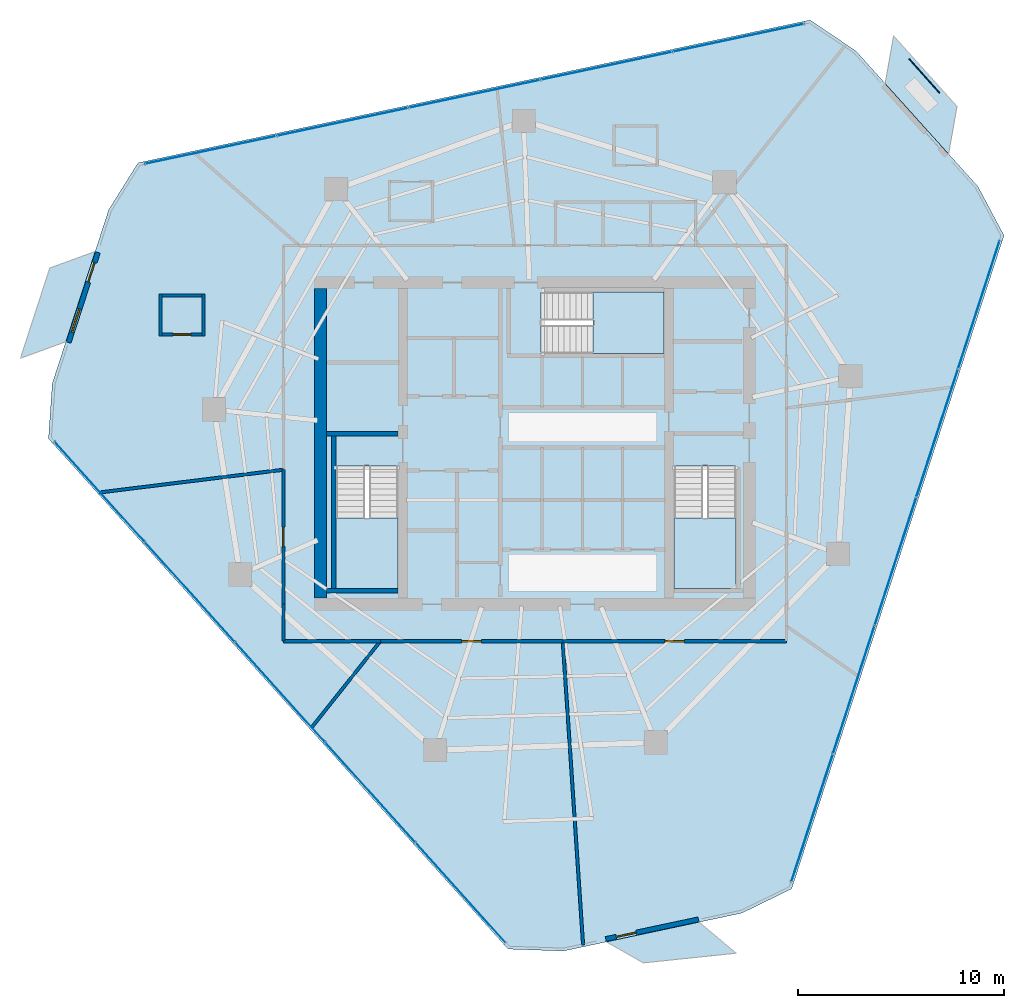
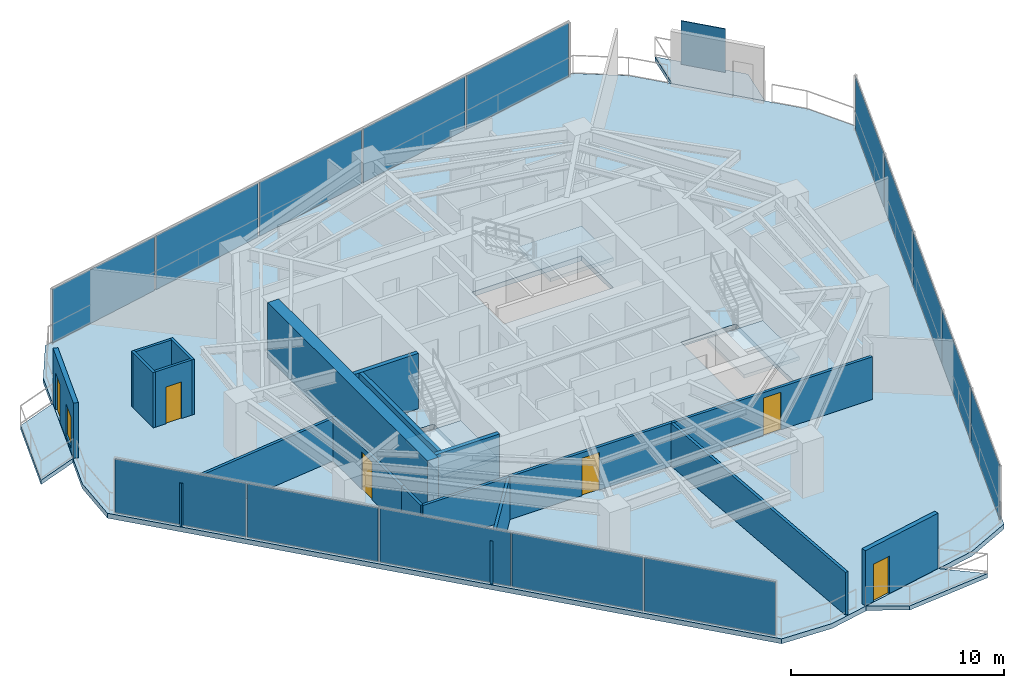
# One storey, part 22 of 27: 18 walls, 16 plates, 7 slabs, 6 doors, 1 window, 7 openings, 6 elements without a shape of their own.
"""IFC4 building model written with IfcOpenShell, lengths in metres."""

from ifc_helpers import new_model, si_unit, direction, frame, frame_2d, origin, origin_2d, place, context, subcontext, project, spatial, polyline, rectangle, outline, extrude, material, layer, layer_set, type_object, element, fill, aggregate, save


model = new_model("IFC4")

# Units and contexts
model_context = context("Model", 3, precision=1e-05, world=origin(), true_north=direction((0.0, 1.0)))
body_context = subcontext(model_context, "Body", "Model", "MODEL_VIEW")
ifc_project = project(units=[si_unit("LENGTHUNIT", "METRE"), si_unit("AREAUNIT", "SQUARE_METRE"), si_unit("VOLUMEUNIT", "CUBIC_METRE"), si_unit("PLANEANGLEUNIT", "RADIAN"), si_unit("MASSUNIT", "GRAM", prefix="KILO")], contexts=[model_context])

# Site, building, storey
site_placement = place(None, origin())
site = spatial("IfcSite", under=ifc_project, at=site_placement, CompositionType="ELEMENT")
building_placement = place(site_placement, origin())
building = spatial("IfcBuilding", under=site, at=building_placement, Name="Qarnah Convention Tower", CompositionType="ELEMENT")
storey_placement = place(building_placement, frame((0.0, 0.0, 110.85009765625)))
storey = spatial("IfcBuildingStorey", under=building, at=storey_placement, Name="L29", CompositionType="ELEMENT", Elevation=110.85009765625)

# Curtain wall, plates
ifc_material_1 = material(Name="Tempered Low-E dark glass", Category="glass")
ifc_layer_1 = layer(ifc_material_1, 0.169921875)
ifc_layer_set_1 = layer_set([ifc_layer_1], Name="Tempered Low-E dark glass")
curtain_wall_type = type_object("IfcCurtainWallType", Name="CWS-02", PredefinedType="NOTDEFINED", material=ifc_layer_set_1)
curtain_wall_1_placement = place(storey_placement, origin())
curtain_wall_1 = element("IfcCurtainWall", 1, at=curtain_wall_1_placement, inside=storey, type_object=curtain_wall_type, Name="L29 unitised curtain wall CW-L29-F1", PredefinedType="NOTDEFINED")
ifc_layer_2 = layer(ifc_material_1, 0.030029296875)
ifc_layer_set_2 = layer_set([ifc_layer_2], Name="Tempered Low-E dark glass")
plate_type_1 = type_object("IfcPlateType", Name="PNL-T2", PredefinedType="CURTAIN_PANEL", material=ifc_layer_set_2)
plate_1_placement = place(storey_placement, frame((21.46923828125, 40.629150390625, 0.0400390625), z_axis=(0.0, 0.0, 1.0), x_axis=(0.978150383892, 0.207898596655, 0.0)))
plate_1 = element("IfcPlate", 2, at=plate_1_placement, type_object=plate_type_1, Name="CW-L29-F1 curtain panel 1.1", PredefinedType="CURTAIN_PANEL", context=body_context, shape_type="SweptSolid", body=[
    extrude(rectangle(XDim=6.463623046875, YDim=0.030029296875, at=origin_2d()), origin(), (0.0, 0.0, 1.0), 3.090087890625),
])
plate_2_placement = place(storey_placement, frame((27.869873046875, 41.989501953125, 0.0400390625), z_axis=(0.0, 0.0, 1.0), x_axis=(0.978150383892, 0.207898596655, 0.0)))
plate_2 = element("IfcPlate", 3, at=plate_2_placement, type_object=plate_type_1, Name="CW-L29-F1 curtain panel 2.1", PredefinedType="CURTAIN_PANEL", context=body_context, shape_type="SweptSolid", body=[
    extrude(rectangle(XDim=6.463623046875, YDim=0.030029296875, at=origin_2d()), origin(), (0.0, 0.0, 1.0), 3.090087890625),
])
plate_3_placement = place(storey_placement, frame((34.2705078125, 43.35009765625, 0.0400390625), z_axis=(0.0, 0.0, 1.0), x_axis=(0.978150383892, 0.207898596655, 0.0)))
plate_3 = element("IfcPlate", 4, at=plate_3_placement, type_object=plate_type_1, Name="CW-L29-F1 curtain panel 3.1", PredefinedType="CURTAIN_PANEL", context=body_context, shape_type="SweptSolid", body=[
    extrude(rectangle(XDim=6.463623046875, YDim=0.030029296875, at=origin_2d()), origin(), (0.0, 0.0, 1.0), 3.090087890625),
])
plate_4_placement = place(storey_placement, frame((40.671142578125, 44.71044921875, 0.0400390625), z_axis=(0.0, 0.0, 1.0), x_axis=(0.978150383892, 0.207898596655, 0.0)))
plate_4 = element("IfcPlate", 5, at=plate_4_placement, type_object=plate_type_1, Name="CW-L29-F1 curtain panel 4.1", PredefinedType="CURTAIN_PANEL", context=body_context, shape_type="SweptSolid", body=[
    extrude(rectangle(XDim=6.463623046875, YDim=0.030029296875, at=origin_2d()), origin(), (0.0, 0.0, 1.0), 3.090087890625),
])
plate_5_placement = place(storey_placement, frame((47.07177734375, 46.07080078125, 0.0400390625), z_axis=(0.0, 0.0, 1.0), x_axis=(0.978150383892, 0.207898596655, 0.0)))
plate_5 = element("IfcPlate", 6, at=plate_5_placement, type_object=plate_type_1, Name="CW-L29-F1 curtain panel 5.1", PredefinedType="CURTAIN_PANEL", context=body_context, shape_type="SweptSolid", body=[
    extrude(rectangle(XDim=6.463623046875, YDim=0.030029296875, at=origin_2d()), origin(), (0.0, 0.0, 1.0), 3.090087890625),
])
aggregate(curtain_wall_1, [plate_1, plate_2, plate_3, plate_4, plate_5])

curtain_wall_2_placement = place(storey_placement, origin())
curtain_wall_2 = element("IfcCurtainWall", 7, at=curtain_wall_2_placement, inside=storey, type_object=curtain_wall_type, Name="L29 unitised curtain wall CW-L29-F2", PredefinedType="NOTDEFINED")
plate_6_placement = place(storey_placement, frame((58.73193359375, 33.120361328125, 0.0400390625), z_axis=(0.0, 0.0, 1.0), x_axis=(-0.309011433682, -0.951058323056, 0.0)))
plate_6 = element("IfcPlate", 8, at=plate_6_placement, type_object=plate_type_1, Name="CW-L29-F2 curtain panel 1.1", PredefinedType="CURTAIN_PANEL", context=body_context, shape_type="SweptSolid", body=[
    extrude(rectangle(XDim=6.46337890625, YDim=0.030029296875, at=origin_2d()), origin(), (0.0, 0.0, 1.0), 3.090087890625),
])
plate_7_placement = place(storey_placement, frame((56.7099609375, 26.897216796875, 0.0400390625), z_axis=(0.0, 0.0, 1.0), x_axis=(-0.309011433682, -0.951058323056, 0.0)))
plate_7 = element("IfcPlate", 9, at=plate_7_placement, type_object=plate_type_1, Name="CW-L29-F2 curtain panel 2.1", PredefinedType="CURTAIN_PANEL", context=body_context, shape_type="SweptSolid", body=[
    extrude(rectangle(XDim=6.46337890625, YDim=0.030029296875, at=origin_2d()), origin(), (0.0, 0.0, 1.0), 3.090087890625),
])
plate_8_placement = place(storey_placement, frame((54.68798828125, 20.674072265625, 0.0400390625), z_axis=(0.0, 0.0, 1.0), x_axis=(-0.309011433682, -0.951058323056, 0.0)))
plate_8 = element("IfcPlate", 10, at=plate_8_placement, type_object=plate_type_1, Name="CW-L29-F2 curtain panel 3.1", PredefinedType="CURTAIN_PANEL", context=body_context, shape_type="SweptSolid", body=[
    extrude(rectangle(XDim=6.46337890625, YDim=0.030029296875, at=origin_2d()), origin(), (0.0, 0.0, 1.0), 3.090087890625),
])
plate_9_placement = place(storey_placement, frame((52.666015625, 14.45068359375, 0.0400390625), z_axis=(0.0, 0.0, 1.0), x_axis=(-0.309011433682, -0.951058323056, 0.0)))
plate_9 = element("IfcPlate", 11, at=plate_9_placement, type_object=plate_type_1, Name="CW-L29-F2 curtain panel 4.1", PredefinedType="CURTAIN_PANEL", context=body_context, shape_type="SweptSolid", body=[
    extrude(rectangle(XDim=6.46337890625, YDim=0.030029296875, at=origin_2d()), origin(), (0.0, 0.0, 1.0), 3.090087890625),
])
plate_10_placement = place(storey_placement, frame((50.64404296875, 8.2275390625, 0.0400390625), z_axis=(0.0, 0.0, 1.0), x_axis=(-0.309011433682, -0.951058323056, 0.0)))
plate_10 = element("IfcPlate", 12, at=plate_10_placement, type_object=plate_type_1, Name="CW-L29-F2 curtain panel 5.1", PredefinedType="CURTAIN_PANEL", context=body_context, shape_type="SweptSolid", body=[
    extrude(rectangle(XDim=6.46337890625, YDim=0.030029296875, at=origin_2d()), origin(), (0.0, 0.0, 1.0), 3.090087890625),
])
aggregate(curtain_wall_2, [plate_6, plate_7, plate_8, plate_9, plate_10])

curtain_wall_3_placement = place(storey_placement, origin())
curtain_wall_3 = element("IfcCurtainWall", 13, at=curtain_wall_3_placement, inside=storey, type_object=curtain_wall_type, Name="L29 unitised curtain wall CW-L29-F3", PredefinedType="NOTDEFINED")
plate_11_placement = place(storey_placement, frame((33.596923828125, 4.604248046875, 0.0400390625), z_axis=(0.0, 0.0, 1.0), x_axis=(-0.669121773521, 0.743152778505, 0.0)))
plate_11 = element("IfcPlate", 14, at=plate_11_placement, type_object=plate_type_1, Name="CW-L29-F3 curtain panel 1.1", PredefinedType="CURTAIN_PANEL", context=body_context, shape_type="SweptSolid", body=[
    extrude(rectangle(XDim=6.463134765625, YDim=0.030029296875, at=origin_2d()), origin(), (0.0, 0.0, 1.0), 3.090087890625),
])
plate_12_placement = place(storey_placement, frame((29.21875, 9.466796875, 0.0400390625), z_axis=(0.0, 0.0, 1.0), x_axis=(-0.669121773521, 0.743152778505, 0.0)))
plate_12 = element("IfcPlate", 15, at=plate_12_placement, type_object=plate_type_1, Name="CW-L29-F3 curtain panel 2.1", PredefinedType="CURTAIN_PANEL", context=body_context, shape_type="SweptSolid", body=[
    extrude(rectangle(XDim=6.463134765625, YDim=0.030029296875, at=origin_2d()), origin(), (0.0, 0.0, 1.0), 3.090087890625),
])
plate_13_placement = place(storey_placement, frame((24.840576171875, 14.32958984375, 0.0400390625), z_axis=(0.0, 0.0, 1.0), x_axis=(-0.669121773521, 0.743152778505, 0.0)))
plate_13 = element("IfcPlate", 16, at=plate_13_placement, type_object=plate_type_1, Name="CW-L29-F3 curtain panel 3.1", PredefinedType="CURTAIN_PANEL", context=body_context, shape_type="SweptSolid", body=[
    extrude(rectangle(XDim=6.463134765625, YDim=0.030029296875, at=origin_2d()), origin(), (0.0, 0.0, 1.0), 3.090087890625),
])
plate_14_placement = place(storey_placement, frame((20.46240234375, 19.192138671875, 0.0400390625), z_axis=(0.0, 0.0, 1.0), x_axis=(-0.669121773521, 0.743152778505, 0.0)))
plate_14 = element("IfcPlate", 17, at=plate_14_placement, type_object=plate_type_1, Name="CW-L29-F3 curtain panel 4.1", PredefinedType="CURTAIN_PANEL", context=body_context, shape_type="SweptSolid", body=[
    extrude(rectangle(XDim=6.463134765625, YDim=0.030029296875, at=origin_2d()), origin(), (0.0, 0.0, 1.0), 3.090087890625),
])
plate_15_placement = place(storey_placement, frame((16.083984375, 24.0546875, 0.0400390625), z_axis=(0.0, 0.0, 1.0), x_axis=(-0.669121773521, 0.743152778505, 0.0)))
plate_15 = element("IfcPlate", 18, at=plate_15_placement, type_object=plate_type_1, Name="CW-L29-F3 curtain panel 5.1", PredefinedType="CURTAIN_PANEL", context=body_context, shape_type="SweptSolid", body=[
    extrude(rectangle(XDim=6.463134765625, YDim=0.030029296875, at=origin_2d()), origin(), (0.0, 0.0, 1.0), 3.090087890625),
])
aggregate(curtain_wall_3, [plate_11, plate_12, plate_13, plate_14, plate_15])

# Plate
ifc_material_2 = material(Name="Black anodised aluminium", Category="aluminium")
ifc_layer_3 = layer(ifc_material_2, 0.044921875)
ifc_layer_set_3 = layer_set([ifc_layer_3], Name="Black anodised aluminium")
plate_type_2 = type_object("IfcPlateType", Name="SCR-BAL-18", PredefinedType="USERDEFINED", material=ifc_layer_set_3)
plate_16_placement = place(storey_placement, frame((56.090087890625, 44.212890625, 0.0), z_axis=(0.0, 0.0, 1.0), x_axis=(0.669181189072, -0.74309927748, 0.0)))
element("IfcPlate", 19, at=plate_16_placement, inside=storey, type_object=plate_type_2, Name="L29 perforated desert solar screen BAL-L29-C1", ObjectType="SCREEN", PredefinedType="USERDEFINED", context=body_context, shape_type="SweptSolid", body=[
    extrude(rectangle(XDim=2.199951171875, YDim=0.044921875, at=origin_2d()), origin(), (0.0, 0.0, 1.0), 2.5),
])

# Slabs
ifc_material_3 = material(Name="Concrete C45/55", Category="concrete")
ifc_layer_4 = layer(ifc_material_3, 0.239990234375)
ifc_layer_set_4 = layer_set([ifc_layer_4], Name="Concrete C45/55")
slab_type_1 = type_object("IfcSlabType", Name="SLB-BAL-240", PredefinedType="USERDEFINED", material=ifc_layer_set_4)
slab_1_placement = place(storey_placement, frame((0.0, 0.0, -0.239990234375)))
element("IfcSlab", 20, at=slab_1_placement, inside=storey, type_object=slab_type_1, Name="L29 cantilevered balcony slab BAL-L29-C1", ObjectType="BALCONY", PredefinedType="USERDEFINED", context=body_context, shape_type="SweptSolid", body=[
    extrude(outline(polyline([(54.593017578125, 46.157958984375), (57.6708984375, 42.739990234375), (57.262939453125, 40.428955078125), (54.18505859375, 43.847900390625), (54.593017578125, 46.157958984375)])), origin(), (0.0, 0.0, 1.0), 0.239990234375),
])
slab_2_placement = place(storey_placement, frame((0.0, 0.0, -0.239990234375)))
element("IfcSlab", 21, at=slab_2_placement, inside=storey, type_object=slab_type_1, Name="L29 cantilevered balcony slab BAL-L29-C2", ObjectType="BALCONY", PredefinedType="USERDEFINED", context=body_context, shape_type="SweptSolid", body=[
    extrude(outline(polyline([(12.248046875, 30.52587890625), (13.6689453125, 34.89990234375), (15.8740234375, 35.702880859375), (14.451904296875, 31.327880859375), (12.248046875, 30.52587890625)])), origin(), (0.0, 0.0, 1.0), 0.239990234375),
])
slab_3_placement = place(storey_placement, frame((0.0, 0.0, -0.239990234375)))
element("IfcSlab", 22, at=slab_3_placement, inside=storey, type_object=slab_type_1, Name="L29 cantilevered balcony slab BAL-L29-C3", ObjectType="BALCONY", PredefinedType="USERDEFINED", context=body_context, shape_type="SweptSolid", body=[
    extrude(outline(polyline([(46.958984375, 1.669921875), (42.458984375, 1.199951171875), (40.6630859375, 2.221923828125), (45.160888671875, 3.177978515625), (46.958984375, 1.669921875)])), origin(), (0.0, 0.0, 1.0), 0.239990234375),
])

# Stair, slab
ifc_material_4 = material(Name="Concrete C50/60", Category="concrete")
stair_type = type_object("IfcStairType", Name="STR-HTL", PredefinedType="HALF_TURN_STAIR", material=ifc_material_4)
stair_1_placement = place(storey_placement, origin())
stair_1 = element("IfcStair", 23, at=stair_1_placement, inside=storey, type_object=stair_type, Name="L29 Core exit stair ST-1", PredefinedType="HALF_TURN_STAIR")
ifc_layer_5 = layer(ifc_material_4, 0.199951171875)
ifc_layer_set_5 = layer_set([ifc_layer_5], Name="Concrete C50/60")
slab_type_2 = type_object("IfcSlabType", Name="SLB-LANDING-200", PredefinedType="LANDING", material=ifc_layer_set_5)
slab_4_placement = place(storey_placement, frame((0.0, 0.0, 1.52490234375)))
slab_4 = element("IfcSlab", 24, at=slab_4_placement, type_object=slab_type_2, Name="ST-1 landing 1", PredefinedType="LANDING", context=body_context, shape_type="SweptSolid", body=[
    extrude(outline(polyline([(27.550048828125, 22.780029296875), (27.550048828125, 19.35009765625), (30.550048828125, 19.35009765625), (30.550048828125, 22.780029296875), (27.550048828125, 22.780029296875)])), origin(), (0.0, 0.0, 1.0), 0.199951171875),
])
aggregate(stair_1, [slab_4])

stair_2_placement = place(storey_placement, origin())
stair_2 = element("IfcStair", 25, at=stair_2_placement, inside=storey, type_object=stair_type, Name="L29 Core exit stair ST-2", PredefinedType="HALF_TURN_STAIR")
slab_5_placement = place(storey_placement, frame((0.0, 0.0, 1.52490234375)))
slab_5 = element("IfcSlab", 26, at=slab_5_placement, type_object=slab_type_2, Name="ST-2 landing 1", PredefinedType="LANDING", context=body_context, shape_type="SweptSolid", body=[
    extrude(outline(polyline([(43.949951171875, 22.780029296875), (43.949951171875, 19.35009765625), (46.949951171875, 19.35009765625), (46.949951171875, 22.780029296875), (43.949951171875, 22.780029296875)])), origin(), (0.0, 0.0, 1.0), 0.199951171875),
])
aggregate(stair_2, [slab_5])

stair_3_placement = place(storey_placement, origin())
stair_3 = element("IfcStair", 27, at=stair_3_placement, inside=storey, type_object=stair_type, Name="L29 Core exit stair ST-3", PredefinedType="HALF_TURN_STAIR")
slab_6_placement = place(storey_placement, frame((0.0, 0.0, 1.52490234375)))
slab_6 = element("IfcSlab", 28, at=slab_6_placement, type_object=slab_type_2, Name="ST-3 landing 1", PredefinedType="LANDING", context=body_context, shape_type="SweptSolid", body=[
    extrude(outline(polyline([(40.02001953125, 30.75), (43.449951171875, 30.75), (43.449951171875, 33.75), (40.02001953125, 33.75), (40.02001953125, 30.75)])), origin(), (0.0, 0.0, 1.0), 0.199951171875),
])
aggregate(stair_3, [slab_6])

# Slab
ifc_layer_6 = layer(ifc_material_3, 0.280029296875)
ifc_layer_set_6 = layer_set([ifc_layer_6], Name="Concrete C45/55")
slab_type_3 = type_object("IfcSlabType", Name="SLB-TWR-280", PredefinedType="FLOOR", material=ifc_layer_set_6)
slab_7_placement = place(storey_placement, frame((0.0, 0.0, -0.280029296875)))
element("IfcSlab", 29, at=slab_7_placement, inside=storey, type_object=slab_type_3, Name="L29 structural floor slab", PredefinedType="FLOOR", context=body_context, shape_type="SweptSolid", body=[
    extrude(outline(polyline([(50.5400390625, 46.930908203125), (17.950927734375, 40.00390625), (16.527099609375, 37.72607421875), (13.7919921875, 29.30908203125), (13.60498046875, 26.62890625), (35.89794921875, 1.8701171875), (38.5830078125, 1.77587890625), (47.239990234375, 3.615966796875), (49.654052734375, 4.7939453125), (59.949951171875, 36.47998046875), (58.68896484375, 38.85205078125), (52.76708984375, 45.428955078125), (50.5400390625, 46.930908203125)]), holes=[polyline([(27.550048828125, 25.300048828125), (27.550048828125, 19.35009765625), (30.550048828125, 19.35009765625), (30.550048828125, 25.300048828125), (27.550048828125, 25.300048828125)]), polyline([(43.949951171875, 25.300048828125), (43.949951171875, 19.35009765625), (46.949951171875, 19.35009765625), (46.949951171875, 25.300048828125), (43.949951171875, 25.300048828125)]), polyline([(37.5, 30.75), (43.449951171875, 30.75), (43.449951171875, 33.75), (37.5, 33.75), (37.5, 30.75)])]), origin(), (0.0, 0.0, 1.0), 0.280029296875),
])

# Walls
ifc_material_5 = material(Name="Concrete C60/75", Category="concrete")
ifc_layer_7 = layer(ifc_material_5, 0.60009765625)
ifc_layer_set_7 = layer_set([ifc_layer_7], Name="Concrete C60/75")
wall_type_1 = type_object("IfcWallType", Name="WL-CORE-600", PredefinedType="SHEAR", material=ifc_layer_set_7)
wall_1_placement = place(storey_placement, frame((26.800048828125, 18.89990234375, 0.0), z_axis=(0.0, 0.0, 1.0), x_axis=(0.0, 1.0, 0.0)))
element("IfcWall", 30, at=wall_1_placement, inside=storey, type_object=wall_type_1, Name="L29 core west shear wall", PredefinedType="SHEAR", context=body_context, shape_type="SweptSolid", body=[
    extrude(rectangle(XDim=15.0, YDim=0.60009765625, at=frame_2d((7.5, 0.0))), origin(), (0.0, 0.0, 1.0), 3.169921875),
])
ifc_layer_8 = layer(ifc_material_5, 0.219970703125)
ifc_layer_set_8 = layer_set([ifc_layer_8], Name="Concrete C60/75")
wall_type_2 = type_object("IfcWallType", Name="WL-CORE-STAIR-220", PredefinedType="SHEAR", material=ifc_layer_set_8)
wall_2_placement = place(storey_placement, frame((27.10009765625, 26.860107421875, 0.0), z_axis=(0.0, 0.0, 1.0), x_axis=(1.0, 0.0, 0.0)))
element("IfcWall", 31, at=wall_2_placement, inside=storey, type_object=wall_type_2, Name="L29 stair shaft shear wall SW-L29-ST1N", PredefinedType="SHEAR", context=body_context, shape_type="SweptSolid", body=[
    extrude(rectangle(XDim=3.449951171875, YDim=0.219970703125, at=frame_2d((1.72509765625, 0.0))), origin(), (0.0, 0.0, 1.0), 3.169921875),
])
wall_3_placement = place(storey_placement, frame((27.43994140625, 19.35009765625, 0.0), z_axis=(0.0, 0.0, 1.0), x_axis=(0.0, 1.0, 0.0)))
element("IfcWall", 32, at=wall_3_placement, inside=storey, type_object=wall_type_2, Name="L29 stair shaft shear wall SW-L29-ST1W", PredefinedType="SHEAR", context=body_context, shape_type="SweptSolid", body=[
    extrude(rectangle(XDim=7.39990234375, YDim=0.219970703125, at=frame_2d((3.699951171875, 0.0))), origin(), (0.0, 0.0, 1.0), 3.169921875),
])
wall_4_placement = place(storey_placement, frame((27.10009765625, 19.239990234375, 0.0), z_axis=(0.0, 0.0, 1.0), x_axis=(1.0, 0.0, 0.0)))
element("IfcWall", 33, at=wall_4_placement, inside=storey, type_object=wall_type_2, Name="L29 stair shaft shear wall SW-L29-ST1S", PredefinedType="SHEAR", context=body_context, shape_type="SweptSolid", body=[
    extrude(rectangle(XDim=3.449951171875, YDim=0.219970703125, at=frame_2d((1.72509765625, 0.0))), origin(), (0.0, 0.0, 1.0), 3.169921875),
])

# Wall, openings, door, window
ifc_material_6 = material(Name="Precast concrete C45/55", Category="concrete")
ifc_layer_9 = layer(ifc_material_6, 0.239990234375)
ifc_layer_set_9 = layer_set([ifc_layer_9], Name="Precast concrete C45/55")
wall_type_3 = type_object("IfcWallType", Name="WL-EXT-BAL-240", PredefinedType="SOLIDWALL", material=ifc_layer_set_9)
wall_5_placement = place(storey_placement, frame((14.58203125, 31.287109375, 0.0), z_axis=(0.0, 0.0, 1.0), x_axis=(0.309086072338, 0.951034068731, 0.0)))
wall_5 = element("IfcWall", 34, at=wall_5_placement, inside=storey, type_object=wall_type_3, Name="L29 loggia threshold wall BAL-L29-C2", PredefinedType="SOLIDWALL", context=body_context, shape_type="SweptSolid", body=[
    extrude(rectangle(XDim=4.600341796875, YDim=0.239990234375, at=frame_2d((2.30029296875, 0.0))), origin(), (0.0, 0.0, 1.0), 3.169921875),
])
opening_1_placement = place(wall_5_placement, frame((3.080078125, 0.0, 0.0)))
opening_1 = element("IfcOpeningElement", 35, at=opening_1_placement, cuts=wall_5, Name="Opening BD-2902", PredefinedType="OPENING", context=body_context, shape_type="SweptSolid", body=[
    extrude(rectangle(XDim=1.0, YDim=2.14990234375, at=frame_2d((0.5, 1.074951171875))), frame((0.0, 0.1298828125, 0.0), z_axis=(0.0, -1.0, 0.0), x_axis=(1.0, 0.0, 0.0)), (0.0, 0.0, 1.0), 0.260009765625),
])
opening_2_placement = place(wall_5_placement, frame((0.52001953125, 0.0, 0.199951171875)))
opening_2 = element("IfcOpeningElement", 36, at=opening_2_placement, cuts=wall_5, Name="Opening WN5", PredefinedType="OPENING", context=body_context, shape_type="SweptSolid", body=[
    extrude(rectangle(XDim=1.199951171875, YDim=1.800048828125, at=frame_2d((0.60009765625, 0.89990234375))), frame((0.0, 0.1298828125, 0.0), z_axis=(0.0, -1.0, 0.0), x_axis=(1.0, 0.0, 0.0)), (0.0, 0.0, 1.0), 0.260009765625),
])
door_type_1 = type_object("IfcDoorType", Name="DT-BAL-1000", OperationType="NOTDEFINED", PredefinedType="DOOR", material=ifc_material_2)
door_1_placement = place(opening_1_placement, origin())
door_1 = element("IfcDoor", 37, at=door_1_placement, inside=storey, type_object=door_type_1, Name="L29 balcony terrace door BAL-L29-C2", OperationType="SINGLE_SWING_LEFT", OverallHeight=2.14990234375, OverallWidth=1.0, PredefinedType="DOOR", context=body_context, shape_type="SweptSolid", body=[
    extrude(rectangle(XDim=1.0, YDim=2.14990234375, at=frame_2d((0.5, 1.074951171875))), frame((0.0, 0.02490234375, 0.0), z_axis=(0.0, -1.0, 0.0), x_axis=(1.0, 0.0, 0.0)), (0.0, 0.0, 1.0), 0.050048828125),
])
fill(opening_1, door_1)
window_type = type_object("IfcWindowType", Name="WT-BAL-1200X1800", PartitioningType="SINGLE_PANEL", PredefinedType="WINDOW", material=ifc_material_1)
window_placement = place(opening_2_placement, origin())
window = element("IfcWindow", 38, at=window_placement, inside=storey, type_object=window_type, Name="Window BW-BAL-L29-C2", OverallHeight=1.800048828125, OverallWidth=1.199951171875, PartitioningType="SINGLE_PANEL", PredefinedType="WINDOW", context=body_context, shape_type="SweptSolid", body=[
    extrude(rectangle(XDim=1.199951171875, YDim=1.800048828125, at=frame_2d((0.60009765625, 0.89990234375))), frame((0.0, 0.030029296875, 0.0), z_axis=(0.0, -1.0, 0.0), x_axis=(1.0, 0.0, 0.0)), (0.0, 0.0, 1.0), 0.06005859375),
])
fill(opening_2, window)

# Wall, opening, door
wall_6_placement = place(storey_placement, frame((45.132080078125, 3.31103515625, 0.0), z_axis=(0.0, 0.0, 1.0), x_axis=(-0.978158311306, -0.207861295153, 0.0)))
wall_6 = element("IfcWall", 39, at=wall_6_placement, inside=storey, type_object=wall_type_3, Name="L29 loggia threshold wall BAL-L29-C3", PredefinedType="SOLIDWALL", context=body_context, shape_type="SweptSolid", body=[
    extrude(rectangle(XDim=4.599365234375, YDim=0.239990234375, at=frame_2d((2.2998046875, 0.0))), origin(), (0.0, 0.0, 1.0), 3.169921875),
])
opening_3_placement = place(wall_6_placement, frame((3.0791015625, 0.0, 0.0)))
opening_3 = element("IfcOpeningElement", 40, at=opening_3_placement, cuts=wall_6, Name="Opening BD-2903", PredefinedType="OPENING", context=body_context, shape_type="SweptSolid", body=[
    extrude(rectangle(XDim=1.0, YDim=2.14990234375, at=frame_2d((0.5, 1.074951171875))), frame((0.0, 0.1298828125, 0.0), z_axis=(0.0, -1.0, 0.0), x_axis=(1.0, 0.0, 0.0)), (0.0, 0.0, 1.0), 0.260009765625),
])
door_2_placement = place(opening_3_placement, origin())
door_2 = element("IfcDoor", 41, at=door_2_placement, inside=storey, type_object=door_type_1, Name="L29 balcony terrace door BAL-L29-C3", OperationType="SINGLE_SWING_RIGHT", OverallHeight=2.14990234375, OverallWidth=1.0, PredefinedType="DOOR", context=body_context, shape_type="SweptSolid", body=[
    extrude(rectangle(XDim=1.0, YDim=2.14990234375, at=frame_2d((0.5, 1.074951171875))), frame((0.0, 0.02490234375, 0.0), z_axis=(0.0, -1.0, 0.0), x_axis=(1.0, 0.0, 0.0)), (0.0, 0.0, 1.0), 0.050048828125),
])
fill(opening_3, door_2)

# Walls
ifc_material_7 = material(Name="Gypsum partition board")
ifc_layer_10 = layer(ifc_material_7, 0.14990234375)
ifc_layer_set_10 = layer_set([ifc_layer_10], Name="Gypsum partition board")
wall_type_4 = type_object("IfcWallType", Name="WL-SUITE-150", PredefinedType="PARTITIONING", material=ifc_layer_set_10)
wall_7_placement = place(storey_placement, frame((16.049072265625, 24.011962890625, 0.0), z_axis=(0.0, 0.0, 1.0), x_axis=(0.992453036622, 0.122625324057, 0.0)))
element("IfcWall", 42, at=wall_7_placement, inside=storey, type_object=wall_type_4, Name="L29 interior wall IW-L29-R-33", PredefinedType="PARTITIONING", context=body_context, shape_type="SweptSolid", body=[
    extrude(rectangle(XDim=9.01904296875, YDim=0.14990234375, at=frame_2d((4.509521484375, 0.0))), origin(), (0.0, 0.0, 1.0), 2.454833984375),
])
wall_8_placement = place(storey_placement, frame((26.35009765625, 12.592041015625, 0.0), z_axis=(0.0, 0.0, 1.0), x_axis=(0.622816692893, 0.782367795256, 0.0)))
element("IfcWall", 43, at=wall_8_placement, inside=storey, type_object=wall_type_4, Name="L29 interior wall IW-L29-R-36", PredefinedType="PARTITIONING", context=body_context, shape_type="SweptSolid", body=[
    extrude(rectangle(XDim=5.378662109375, YDim=0.14990234375, at=frame_2d((2.689453125, 0.0))), origin(), (0.0, 0.0, 1.0), 2.454833984375),
])
wall_9_placement = place(storey_placement, frame((29.699951171875, 16.800048828125, 0.0), z_axis=(0.0, 0.0, 1.0), x_axis=(-1.0, 0.0, 0.0)))
element("IfcWall", 44, at=wall_9_placement, inside=storey, type_object=wall_type_4, Name="L29 interior wall IW-L29-R-37", PredefinedType="PARTITIONING", context=body_context, shape_type="SweptSolid", body=[
    extrude(rectangle(XDim=4.699951171875, YDim=0.14990234375, at=frame_2d((2.35009765625, 0.0))), origin(), (0.0, 0.0, 1.0), 2.454833984375),
])
wall_10_placement = place(storey_placement, frame((25.0, 16.800048828125, 0.0), z_axis=(0.0, 0.0, 1.0), x_axis=(0.0, 1.0, 0.0)))
element("IfcWall", 45, at=wall_10_placement, inside=storey, type_object=wall_type_4, Name="L29 interior wall IW-L29-R-38", PredefinedType="PARTITIONING", context=body_context, shape_type="SweptSolid", body=[
    extrude(rectangle(XDim=1.800048828125, YDim=0.14990234375, at=frame_2d((0.89990234375, 0.0))), origin(), (0.0, 0.0, 1.0), 2.454833984375),
])

# Wall, opening, door
wall_11_placement = place(storey_placement, frame((25.0, 18.60009765625, 0.0), z_axis=(0.0, 0.0, 1.0), x_axis=(0.0, 1.0, 0.0)))
wall_11 = element("IfcWall", 46, at=wall_11_placement, inside=storey, type_object=wall_type_4, Name="L29 interior wall IW-L29-R-39", PredefinedType="PARTITIONING", context=body_context, shape_type="SweptSolid", body=[
    extrude(rectangle(XDim=6.517822265625, YDim=0.14990234375, at=frame_2d((3.2587890625, 0.0))), origin(), (0.0, 0.0, 1.0), 2.466796875),
])
opening_4_placement = place(wall_11_placement, frame((2.783935546875, 0.0, 0.0)))
opening_4 = element("IfcOpeningElement", 47, at=opening_4_placement, cuts=wall_11, Name="Opening D-2926", PredefinedType="OPENING", context=body_context, shape_type="SweptSolid", body=[
    extrude(rectangle(XDim=0.949951171875, YDim=2.14990234375, at=frame_2d((0.47509765625, 1.074951171875))), frame((0.0, 0.0849609375, 0.0), z_axis=(0.0, -1.0, 0.0), x_axis=(1.0, 0.0, 0.0)), (0.0, 0.0, 1.0), 0.169921875),
])
ifc_material_8 = material(Name="Oak timber veneer", Category="wood")
door_type_2 = type_object("IfcDoorType", Name="DT-HOTEL-950", OperationType="NOTDEFINED", PredefinedType="DOOR", material=ifc_material_8)
door_3_placement = place(opening_4_placement, origin())
door_3 = element("IfcDoor", 48, at=door_3_placement, inside=storey, type_object=door_type_2, Name="Door D-2926", OperationType="SINGLE_SWING_RIGHT", OverallHeight=2.14990234375, OverallWidth=0.949951171875, PredefinedType="DOOR", context=body_context, shape_type="SweptSolid", body=[
    extrude(rectangle(XDim=0.949951171875, YDim=2.14990234375, at=frame_2d((0.47509765625, 1.074951171875))), frame((0.0, 0.02490234375, 0.0), z_axis=(0.0, -1.0, 0.0), x_axis=(1.0, 0.0, 0.0)), (0.0, 0.0, 1.0), 0.050048828125),
])
fill(opening_4, door_3)

# Wall
wall_12_placement = place(storey_placement, frame((39.535888671875, 2.06005859375, 0.0), z_axis=(0.0, 0.0, 1.0), x_axis=(-0.066798709389, 0.997766471888, 0.0)))
element("IfcWall", 49, at=wall_12_placement, inside=storey, type_object=wall_type_4, Name="L29 interior wall IW-L29-R-40", PredefinedType="PARTITIONING", context=body_context, shape_type="SweptSolid", body=[
    extrude(rectangle(XDim=14.77294921875, YDim=0.14990234375, at=frame_2d((7.386474609375, 0.0))), origin(), (0.0, 0.0, 1.0), 2.454833984375),
])

# Wall, opening, door
wall_13_placement = place(storey_placement, frame((38.549072265625, 16.800048828125, 0.0), z_axis=(0.0, 0.0, 1.0), x_axis=(-1.0, 0.0, 0.0)))
wall_13 = element("IfcWall", 50, at=wall_13_placement, inside=storey, type_object=wall_type_4, Name="L29 interior wall IW-L29-R-41", PredefinedType="PARTITIONING", context=body_context, shape_type="SweptSolid", body=[
    extrude(rectangle(XDim=8.84912109375, YDim=0.14990234375, at=frame_2d((4.424560546875, 0.0))), origin(), (0.0, 0.0, 1.0), 2.466796875),
])
opening_5_placement = place(wall_13_placement, frame((3.948974609375, 0.0, 0.0)))
opening_5 = element("IfcOpeningElement", 51, at=opening_5_placement, cuts=wall_13, Name="Opening D-2927", PredefinedType="OPENING", context=body_context, shape_type="SweptSolid", body=[
    extrude(rectangle(XDim=0.949951171875, YDim=2.14990234375, at=frame_2d((0.47509765625, 1.074951171875))), frame((0.0, 0.0849609375, 0.0), z_axis=(0.0, -1.0, 0.0), x_axis=(1.0, 0.0, 0.0)), (0.0, 0.0, 1.0), 0.169921875),
])
door_4_placement = place(opening_5_placement, origin())
door_4 = element("IfcDoor", 52, at=door_4_placement, inside=storey, type_object=door_type_2, Name="Door D-2927", OperationType="SINGLE_SWING_LEFT", OverallHeight=2.14990234375, OverallWidth=0.949951171875, PredefinedType="DOOR", context=body_context, shape_type="SweptSolid", body=[
    extrude(rectangle(XDim=0.949951171875, YDim=2.14990234375, at=frame_2d((0.47509765625, 1.074951171875))), frame((0.0, 0.02490234375, 0.0), z_axis=(0.0, -1.0, 0.0), x_axis=(1.0, 0.0, 0.0)), (0.0, 0.0, 1.0), 0.050048828125),
])
fill(opening_5, door_4)

wall_14_placement = place(storey_placement, frame((49.39990234375, 16.800048828125, 0.0), z_axis=(0.0, 0.0, 1.0), x_axis=(-1.0, 0.0, 0.0)))
wall_14 = element("IfcWall", 53, at=wall_14_placement, inside=storey, type_object=wall_type_4, Name="L29 interior wall IW-L29-R-44", PredefinedType="PARTITIONING", context=body_context, shape_type="SweptSolid", body=[
    extrude(rectangle(XDim=10.850830078125, YDim=0.14990234375, at=frame_2d((5.42529296875, 0.0))), origin(), (0.0, 0.0, 1.0), 2.454833984375),
])
opening_6_placement = place(wall_14_placement, frame((4.950927734375, 0.0, 0.0)))
opening_6 = element("IfcOpeningElement", 54, at=opening_6_placement, cuts=wall_14, Name="Opening D-2928", PredefinedType="OPENING", context=body_context, shape_type="SweptSolid", body=[
    extrude(rectangle(XDim=0.949951171875, YDim=2.14990234375, at=frame_2d((0.47509765625, 1.074951171875))), frame((0.0, 0.0849609375, 0.0), z_axis=(0.0, -1.0, 0.0), x_axis=(1.0, 0.0, 0.0)), (0.0, 0.0, 1.0), 0.169921875),
])
door_5_placement = place(opening_6_placement, origin())
door_5 = element("IfcDoor", 55, at=door_5_placement, inside=storey, type_object=door_type_2, Name="Door D-2928", OperationType="SINGLE_SWING_RIGHT", OverallHeight=2.14990234375, OverallWidth=0.949951171875, PredefinedType="DOOR", context=body_context, shape_type="SweptSolid", body=[
    extrude(rectangle(XDim=0.949951171875, YDim=2.14990234375, at=frame_2d((0.47509765625, 1.074951171875))), frame((0.0, 0.02490234375, 0.0), z_axis=(0.0, -1.0, 0.0), x_axis=(1.0, 0.0, 0.0)), (0.0, 0.0, 1.0), 0.050048828125),
])
fill(opening_6, door_5)

ifc_layer_11 = layer(ifc_material_7, 0.139892578125)
ifc_layer_set_11 = layer_set([ifc_layer_11], Name="Gypsum partition board")
wall_type_5 = type_object("IfcWallType", Name="WL-WET-140", PredefinedType="PARTITIONING", material=ifc_layer_set_11)
wall_15_placement = place(storey_placement, frame((18.9619140625, 31.677978515625, 0.0), z_axis=(0.0, 0.0, 1.0), x_axis=(1.0, 0.0, 0.0)))
wall_15 = element("IfcWall", 56, at=wall_15_placement, inside=storey, type_object=wall_type_5, Name="L29 interior wall IW-L29-ENS03-1", PredefinedType="PARTITIONING", context=body_context, shape_type="SweptSolid", body=[
    extrude(rectangle(XDim=2.239990234375, YDim=0.139892578125, at=frame_2d((1.1201171875, 0.0))), origin(), (0.0, 0.0, 1.0), 3.169921875),
])
opening_7_placement = place(wall_15_placement, frame((0.695068359375, 0.0, 0.0)))
opening_7 = element("IfcOpeningElement", 57, at=opening_7_placement, cuts=wall_15, Name="Opening D-2925", PredefinedType="OPENING", context=body_context, shape_type="SweptSolid", body=[
    extrude(rectangle(XDim=0.85009765625, YDim=2.10009765625, at=frame_2d((0.425048828125, 1.050048828125))), frame((0.0, 0.079833984375, 0.0), z_axis=(0.0, -1.0, 0.0), x_axis=(1.0, 0.0, 0.0)), (0.0, 0.0, 1.0), 0.159912109375),
])
door_type_3 = type_object("IfcDoorType", Name="DT-BATH-850", OperationType="NOTDEFINED", PredefinedType="DOOR", material=ifc_material_8)
door_6_placement = place(opening_7_placement, origin())
door_6 = element("IfcDoor", 58, at=door_6_placement, inside=storey, type_object=door_type_3, Name="Door D-2925", OperationType="SINGLE_SWING_LEFT", OverallHeight=2.10009765625, OverallWidth=0.85009765625, PredefinedType="DOOR", context=body_context, shape_type="SweptSolid", body=[
    extrude(rectangle(XDim=0.85009765625, YDim=2.10009765625, at=frame_2d((0.425048828125, 1.050048828125))), frame((0.0, 0.02490234375, 0.0), z_axis=(0.0, -1.0, 0.0), x_axis=(1.0, 0.0, 0.0)), (0.0, 0.0, 1.0), 0.050048828125),
])
fill(opening_7, door_6)

# Walls
wall_16_placement = place(storey_placement, frame((21.132080078125, 31.60791015625, 0.0), z_axis=(0.0, 0.0, 1.0), x_axis=(0.0, 1.0, 0.0)))
element("IfcWall", 59, at=wall_16_placement, inside=storey, type_object=wall_type_5, Name="L29 interior wall IW-L29-ENS03-2", PredefinedType="PARTITIONING", context=body_context, shape_type="SweptSolid", body=[
    extrude(rectangle(XDim=2.0400390625, YDim=0.139892578125, at=frame_2d((1.02001953125, 0.0))), origin(), (0.0, 0.0, 1.0), 3.169921875),
])
wall_17_placement = place(storey_placement, frame((21.201904296875, 33.577880859375, 0.0), z_axis=(0.0, 0.0, 1.0), x_axis=(-1.0, 0.0, 0.0)))
element("IfcWall", 60, at=wall_17_placement, inside=storey, type_object=wall_type_5, Name="L29 interior wall IW-L29-ENS03-3", PredefinedType="PARTITIONING", context=body_context, shape_type="SweptSolid", body=[
    extrude(rectangle(XDim=2.239990234375, YDim=0.139892578125, at=frame_2d((1.1201171875, 0.0))), origin(), (0.0, 0.0, 1.0), 3.169921875),
])
wall_18_placement = place(storey_placement, frame((19.031982421875, 33.64794921875, 0.0), z_axis=(0.0, 0.0, 1.0), x_axis=(0.0, -1.0, 0.0)))
element("IfcWall", 61, at=wall_18_placement, inside=storey, type_object=wall_type_5, Name="L29 interior wall IW-L29-ENS03-4", PredefinedType="PARTITIONING", context=body_context, shape_type="SweptSolid", body=[
    extrude(rectangle(XDim=2.0400390625, YDim=0.139892578125, at=frame_2d((1.02001953125, 0.0))), origin(), (0.0, 0.0, 1.0), 3.169921875),
])

save(model, "model.ifc")
